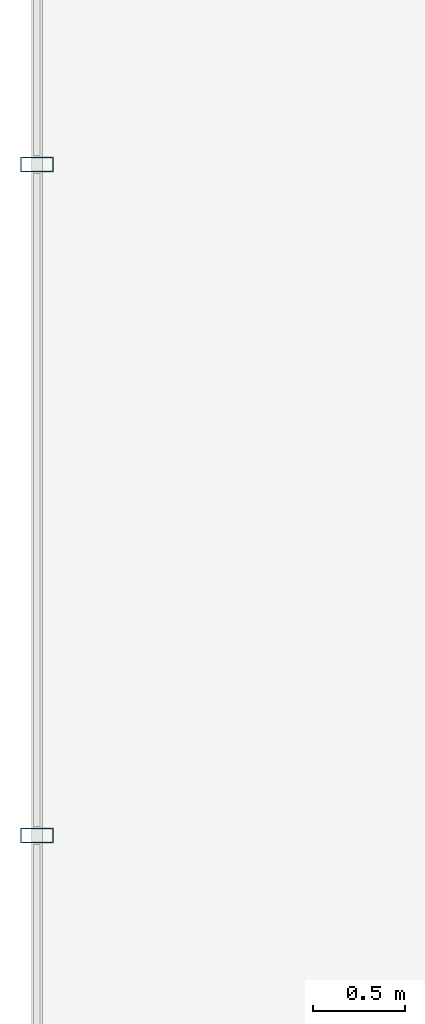
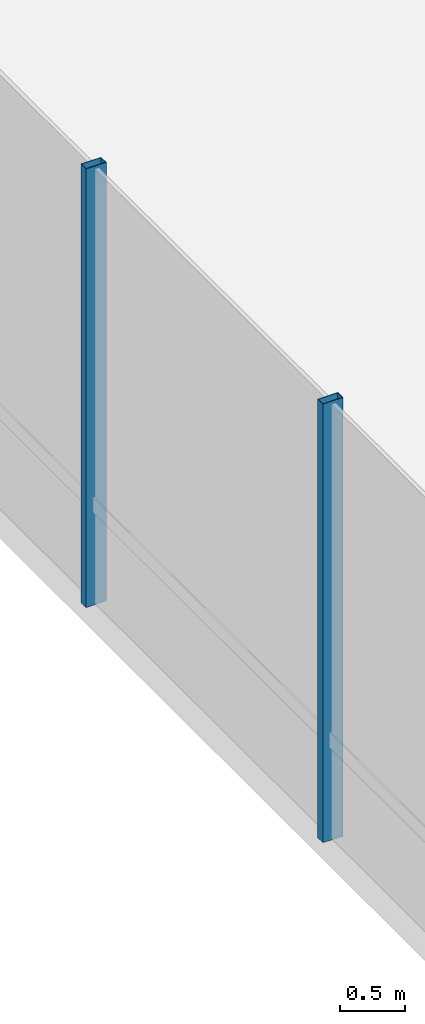
# One storey, part 7 of 37: 2 members, 1 element without a shape of its own.
"""IFC4 building model written with IfcOpenShell, lengths in metres."""

import ifcopenshell
import ifcopenshell.guid

model = None  # the IFC model being written
_history = None  # IfcOwnerHistory: only IFC2X3 demands one
_inside = {}  # id of a spatial element -> (the spatial element, [elements in it])
_under = {}  # id of a project, library or spatial element -> (it, [spatial elements below it])
_declared = {}  # id of a project -> (the project, [libraries it declares])
_typed = {}  # id of a type object -> (the type object, [elements of that type])
_made_of = {}  # id of a material, layer set ... -> (it, [elements and type objects made of it])


def new_model(schema):
    """Start an empty IFC model of exactly this schema.

    Asked for "IFC4X3", IfcOpenShell would pick the latest addendum, in which some entities
    have other attributes; the version numbers below select the first issue.
    IFC2X3 requires an IfcOwnerHistory on every rooted entity: one is made here for all.
    """
    global model, _history
    if schema == "IFC4X3":
        model = ifcopenshell.file(schema_version=(4, 3, 0, 0))
    else:
        model = ifcopenshell.file(schema=schema)
    _inside.clear()
    _under.clear()
    _declared.clear()
    _typed.clear()
    _made_of.clear()
    _history = None
    if model.schema == "IFC2X3":
        org = make("IfcOrganization", Name="unknown")
        user = make(
            "IfcPersonAndOrganization",
            ThePerson=make("IfcPerson", FamilyName="unknown"),
            TheOrganization=org,
        )
        app = make(
            "IfcApplication",
            ApplicationDeveloper=org,
            Version="unknown",
            ApplicationFullName="unknown",
            ApplicationIdentifier="unknown",
        )
        _history = make(
            "IfcOwnerHistory",
            OwningUser=user,
            OwningApplication=app,
            ChangeAction="ADDED",
            CreationDate=0,
        )
    return model


def make(cls, **values):
    """One entity of the class cls with the attributes given. An attribute that is None is left unset."""
    return model.create_entity(
        cls, **{name: value for name, value in values.items() if value is not None}
    )


def rooted(cls, **values):
    """An entity with a GlobalId (a new one), such as an element, a storey or a relation."""
    return make(cls, GlobalId=ifcopenshell.guid.new(), OwnerHistory=_history, **values)


def si_unit(unit_type, name, prefix=None):
    """IfcSIUnit, for example si_unit("LENGTHUNIT", "METRE", prefix="MILLI")."""
    return make("IfcSIUnit", UnitType=unit_type, Prefix=prefix, Name=name)


def assignment(units):
    """IfcUnitAssignment: the units of a project."""
    return None if units is None else make("IfcUnitAssignment", Units=units)


def point(xyz):
    """IfcCartesianPoint."""
    return None if xyz is None else make("IfcCartesianPoint", Coordinates=xyz)


def direction(xyz):
    """IfcDirection."""
    return None if xyz is None else make("IfcDirection", DirectionRatios=xyz)


def frame(location, z_axis=None, x_axis=None):
    """IfcAxis2Placement3D, a coordinate frame: its origin and axes. An axis left out is left unset."""
    return make(
        "IfcAxis2Placement3D",
        Location=point(location),
        Axis=direction(z_axis),
        RefDirection=direction(x_axis),
    )


def frame_2d(location, x_axis=None):
    """IfcAxis2Placement2D, a coordinate frame in the plane: its origin and x axis."""
    return make(
        "IfcAxis2Placement2D", Location=point(location), RefDirection=direction(x_axis)
    )


def origin():
    """The frame at (0, 0, 0) with its axes left unset."""
    return frame((0.0, 0.0, 0.0))


def origin_2d():
    """The frame at (0, 0) in the plane with its x axis left unset."""
    return frame_2d((0.0, 0.0))


def place(relative_to, where):
    """IfcLocalPlacement: puts the frame where relative to a parent placement (None: the world)."""
    return make(
        "IfcLocalPlacement", PlacementRelTo=relative_to, RelativePlacement=where
    )


def context(
    kind, dimensions, precision=None, world=None, true_north=None, identifier=None
):
    """IfcGeometricRepresentationContext, for example the 3D "Model" context."""
    return make(
        "IfcGeometricRepresentationContext",
        ContextIdentifier=identifier,
        ContextType=kind,
        CoordinateSpaceDimension=dimensions,
        Precision=precision,
        WorldCoordinateSystem=world,
        TrueNorth=true_north,
    )


def subcontext(parent, identifier, kind, view, scale=None):
    """IfcGeometricRepresentationSubContext, for example "Body" below "Model"."""
    return make(
        "IfcGeometricRepresentationSubContext",
        ContextIdentifier=identifier,
        ContextType=kind,
        ParentContext=parent,
        TargetScale=scale,
        TargetView=view,
    )


def project(units=None, contexts=None):
    """IfcProject with its units and contexts."""
    return rooted(
        "IfcProject",
        Name="project",
        RepresentationContexts=contexts,
        UnitsInContext=assignment(units),
    )


def spatial(cls, under=None, at=None, **own):
    """A site, building, storey or space (cls), placed at a placement, below another one or the project."""
    s = rooted(cls, ObjectPlacement=at, **own)
    if under is not None:
        _under.setdefault(under.id(), (under, []))[1].append(s)
    return s


def profile(cls, at=None, kind="AREA", **sizes):
    """A parametric profile (cls). Its sizes go by their IFC names, for example OverallWidth=200.0."""
    return make(cls, ProfileType=kind, Position=at, **sizes)


def hollow_rectangle(**sizes):
    """IfcRectangleHollowProfileDef."""
    return profile("IfcRectangleHollowProfileDef", **sizes)


def extrude(swept, where, along, depth):
    """IfcExtrudedAreaSolid: the profile swept, set in the frame where, extruded along a direction by depth."""
    return make(
        "IfcExtrudedAreaSolid",
        SweptArea=swept,
        Position=where,
        ExtrudedDirection=direction(along),
        Depth=depth,
    )


def shape(context_of_items, identifier, shape_type, items):
    """IfcShapeRepresentation: the items that make up one representation, for example the "Body"."""
    return make(
        "IfcShapeRepresentation",
        ContextOfItems=context_of_items,
        RepresentationIdentifier=identifier,
        RepresentationType=shape_type,
        Items=items,
    )


def material(Name=None, Category=None):
    """IfcMaterial."""
    return make("IfcMaterial", Name=Name, Category=Category)


def layer(
    of_material, thickness, ventilated=None, Name=None, Category=None, Priority=None
):
    """IfcMaterialLayer: one layer of a wall or slab, of a material (None: an air gap)."""
    return make(
        "IfcMaterialLayer",
        Material=of_material,
        LayerThickness=thickness,
        IsVentilated=ventilated,
        Name=Name,
        Category=Category,
        Priority=Priority,
    )


def layer_set(layers, Name=None):
    """IfcMaterialLayerSet."""
    return make("IfcMaterialLayerSet", MaterialLayers=layers, LayerSetName=Name)


def material_profile(
    of_material, cross_section, Name=None, Category=None, Priority=None
):
    """IfcMaterialProfile: a cross section and its material."""
    return make(
        "IfcMaterialProfile",
        Name=Name,
        Material=of_material,
        Profile=cross_section,
        Priority=Priority,
        Category=Category,
    )


def profile_set(profiles, Name=None, composite=None):
    """IfcMaterialProfileSet."""
    return make(
        "IfcMaterialProfileSet",
        Name=Name,
        MaterialProfiles=profiles,
        CompositeProfile=composite,
    )


def made_of(thing, what):
    """Note that an element or type object is made of a material, layer set ...; save() writes the relation."""
    if what is not None:
        _made_of.setdefault(what.id(), (what, []))[1].append(thing)
    return thing


def type_object(cls, material=None, **own):
    """A type object (cls), such as IfcWallType, which elements share."""
    return made_of(rooted(cls, **own), material)


def element(
    cls,
    number,
    at=None,
    inside=None,
    cuts=None,
    type_object=None,
    material=None,
    context=None,
    identifier="Body",
    shape_type=None,
    held_by="IfcProductDefinitionShape",
    body=None,
    shapes=None,
    **own,
):
    """One element of the class cls, such as IfcWall. Its Tag is "e" and its number.

    at: its placement. inside: the storey or other place that contains it. cuts: it is an
    opening in that element (IfcRelVoidsElement). A single representation is given by context,
    identifier, shape_type and body (its items); several are given by shapes. held_by: the class
    of the entity that holds the representations. save() writes the other relations.
    """
    e = rooted(cls, Tag="e%d" % number, ObjectPlacement=at, **own)
    if body is not None:
        shapes = [shape(context, identifier, shape_type, body)]
    if shapes is not None:
        e.Representation = make(held_by, Representations=shapes)
    if inside is not None:
        _inside.setdefault(inside.id(), (inside, []))[1].append(e)
    if cuts is not None:
        rooted(
            "IfcRelVoidsElement", RelatingBuildingElement=cuts, RelatedOpeningElement=e
        )
    if type_object is not None:
        _typed.setdefault(type_object.id(), (type_object, []))[1].append(e)
    return made_of(e, material)


def aggregate(whole, parts):
    """IfcRelAggregates: a whole, such as a stair, and the parts it consists of."""
    return rooted("IfcRelAggregates", RelatingObject=whole, RelatedObjects=parts)


def save(model, path):
    """Write the relations noted so far, then the file.

    IfcRelAggregates (storeys below a building ...), IfcRelContainedInSpatialStructure (elements
    in a storey), IfcRelDefinesByType, IfcRelAssociatesMaterial and IfcRelDeclares: one each for
    every whole, place, type object, material and project.
    """
    for whole, parts in _under.values():
        aggregate(whole, parts)
    for where, things in _inside.values():
        rooted(
            "IfcRelContainedInSpatialStructure",
            RelatedElements=things,
            RelatingStructure=where,
        )
    for kind, things in _typed.values():
        rooted("IfcRelDefinesByType", RelatedObjects=things, RelatingType=kind)
    for what, things in _made_of.values():
        rooted("IfcRelAssociatesMaterial", RelatedObjects=things, RelatingMaterial=what)
    for by, libraries in _declared.values():
        rooted("IfcRelDeclares", RelatingContext=by, RelatedDefinitions=libraries)
    model.write(path)


model = new_model("IFC4")

# Units and contexts
model_context = context("Model", 3, precision=1e-05, world=origin(), true_north=direction((0.0, 1.0)))
body_context = subcontext(model_context, "Body", "Model", "MODEL_VIEW")
ifc_project = project(units=[si_unit("LENGTHUNIT", "METRE"), si_unit("AREAUNIT", "SQUARE_METRE"), si_unit("VOLUMEUNIT", "CUBIC_METRE"), si_unit("PLANEANGLEUNIT", "RADIAN"), si_unit("MASSUNIT", "GRAM", prefix="KILO")], contexts=[model_context])

# Site, building, storey
site_placement = place(None, origin())
site = spatial("IfcSite", under=ifc_project, at=site_placement, CompositionType="ELEMENT")
building_placement = place(site_placement, origin())
building = spatial("IfcBuilding", under=site, at=building_placement, Name="Zarrinselat Tower", CompositionType="ELEMENT")
storey_placement = place(building_placement, frame((0.0, 0.0, 9.52001953125)))
storey = spatial("IfcBuildingStorey", under=building, at=storey_placement, Name="L02", CompositionType="ELEMENT", Elevation=9.52001953125)

# Curtain wall, members
ifc_material_1 = material(Name="Extruded Aluminium Alloy EN AW-6063 T6", Category="aluminium")
ifc_layer = layer(ifc_material_1, 0.2099609375)
ifc_layer_set = layer_set([ifc_layer], Name="Extruded Aluminium Alloy EN AW-6063 T6")
curtain_wall_type = type_object("IfcCurtainWallType", Name="CWS-POD", PredefinedType="NOTDEFINED", material=ifc_layer_set)
curtain_wall_placement = place(storey_placement, origin())
curtain_wall = element("IfcCurtainWall", 1, at=curtain_wall_placement, inside=storey, type_object=curtain_wall_type, Name="L02 Unitised Curtain Wall CW-L02-F7", PredefinedType="NOTDEFINED")
ifc_material_2 = material(Name="Extruded Aluminium Alloy EN AW-6063 T6", Category="aluminium")
ifc_material_profile = material_profile(ifc_material_2, hollow_rectangle(XDim=0.080078125, YDim=0.179931640625, WallThickness=0.0048828125, at=origin_2d()), Name="RHS 180x80x5")
ifc_profile_set = profile_set([ifc_material_profile], Name="Extruded Aluminium Alloy EN AW-6063 T6")
member_type = type_object("IfcMemberType", Name="MEM-CW-MUL", PredefinedType="MULLION", material=ifc_profile_set)
member_1_placement = place(storey_placement, frame((2.39990234375, 28.699951171875, 0.0), z_axis=(0.0, 0.0, 1.0), x_axis=(0.0, -1.0, 0.0)))
member_1 = element("IfcMember", 2, at=member_1_placement, type_object=member_type, Name="CW-L02-F7 Mullion 5", PredefinedType="MULLION", context=body_context, shape_type="SweptSolid", body=[
    extrude(hollow_rectangle(XDim=0.080078125, YDim=0.179931640625, WallThickness=0.0048828125, at=origin_2d()), origin(), (0.0, 0.0, 1.0), 4.139892578125),
])
member_2_placement = place(storey_placement, frame((2.39990234375, 25.0400390625, 0.0), z_axis=(0.0, 0.0, 1.0), x_axis=(0.0, -1.0, 0.0)))
member_2 = element("IfcMember", 3, at=member_2_placement, type_object=member_type, Name="CW-L02-F7 Mullion 6", PredefinedType="MULLION", context=body_context, shape_type="SweptSolid", body=[
    extrude(hollow_rectangle(XDim=0.080078125, YDim=0.179931640625, WallThickness=0.0048828125, at=origin_2d()), origin(), (0.0, 0.0, 1.0), 4.139892578125),
])
aggregate(curtain_wall, [member_1, member_2])

save(model, "model.ifc")
